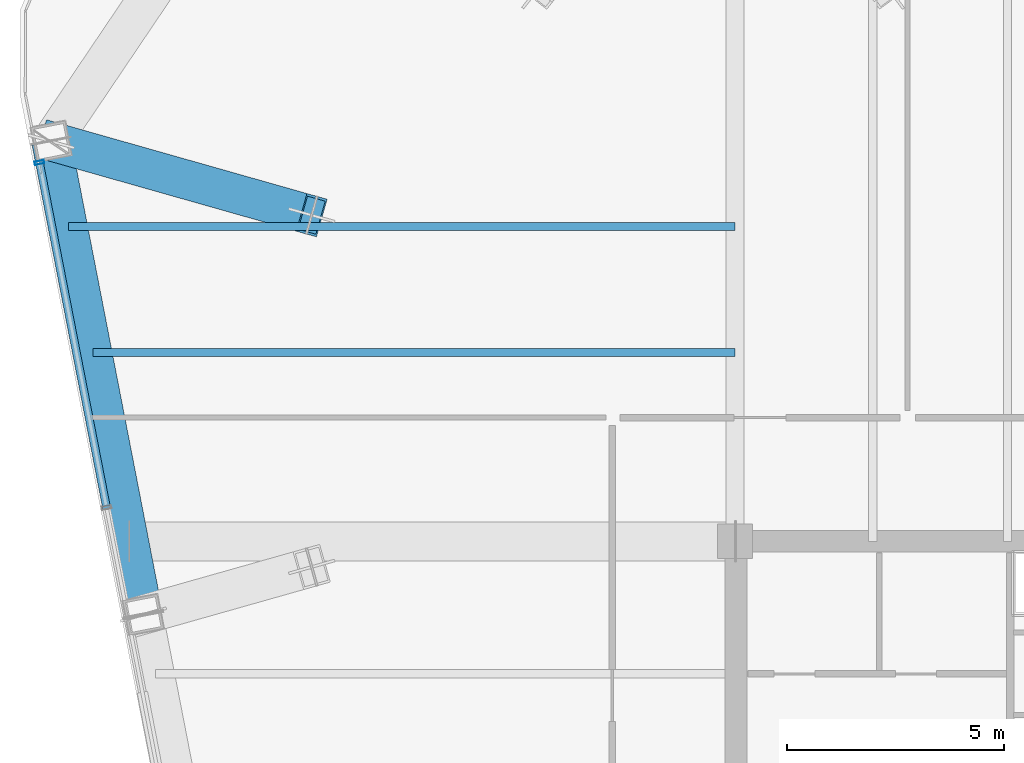
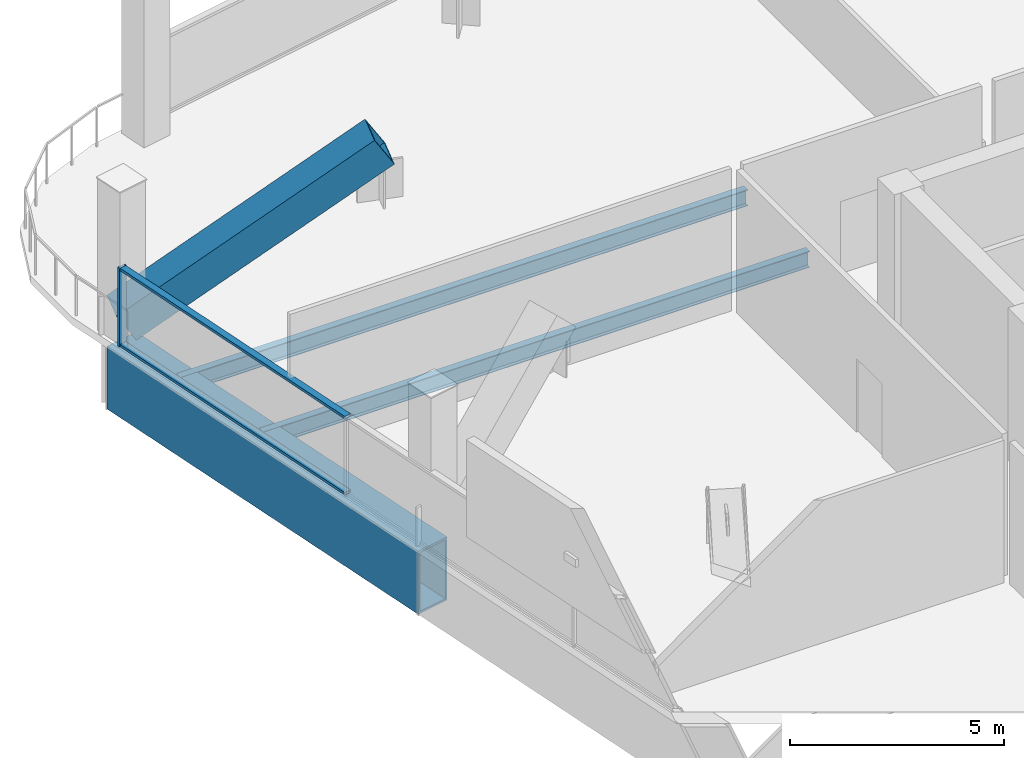
# One storey, part 11 of 26: 4 members, 3 beams, 1 element without a shape of its own.
"""IFC4 building model written with IfcOpenShell, lengths in metres."""

from ifc_helpers import new_model, si_unit, direction, frame, origin, origin_2d, place, context, subcontext, project, spatial, hollow_rectangle, i_section, extrude, material, layer, layer_set, material_profile, profile_set, type_object, element, aggregate, save


model = new_model("IFC4")

# Units and contexts
model_context = context("Model", 3, precision=1e-05, world=origin(), true_north=direction((0.0, 1.0)))
body_context = subcontext(model_context, "Body", "Model", "MODEL_VIEW")
ifc_project = project(units=[si_unit("LENGTHUNIT", "METRE"), si_unit("AREAUNIT", "SQUARE_METRE"), si_unit("VOLUMEUNIT", "CUBIC_METRE"), si_unit("PLANEANGLEUNIT", "RADIAN"), si_unit("MASSUNIT", "GRAM", prefix="KILO")], contexts=[model_context])

# Site, building, storey
site_placement = place(None, origin())
site = spatial("IfcSite", under=ifc_project, at=site_placement, CompositionType="ELEMENT")
building_placement = place(site_placement, origin())
building = spatial("IfcBuilding", under=site, at=building_placement, Name="Qhalaya Broadcast Tower", CompositionType="ELEMENT")
storey_placement = place(building_placement, frame((0.0, 0.0, 140.25)))
storey = spatial("IfcBuildingStorey", under=building, at=storey_placement, Name="L41", CompositionType="ELEMENT", Elevation=140.25)

# Beams
ifc_material_1 = material(Name="Structural Steel ASTM A572 Grade 50", Category="steel")
ifc_material_profile_1 = material_profile(ifc_material_1, hollow_rectangle(XDim=0.89990234375, YDim=1.800048828125, WallThickness=0.06005859375, at=origin_2d()), Name="BOX 900x1800x60")
ifc_profile_set_1 = profile_set([ifc_material_profile_1], Name="Structural Steel ASTM A572 Grade 50")
beam_type_1 = type_object("IfcBeamType", Name="Block Cantilever Transfer Box Girder TG1", PredefinedType="USERDEFINED", material=ifc_profile_set_1)
beam_1_placement = place(storey_placement, frame((-25.1162109375, 19.159423828125, -1.1201171875), z_axis=(0.190804900759, -0.981627979352, 0.0), x_axis=(0.981627979352, 0.190804900759, 0.0)))
element("IfcBeam", 1, at=beam_1_placement, inside=storey, type_object=beam_type_1, Name="L41 TG1 L41-SPR-13", ObjectType="GIRDER", PredefinedType="USERDEFINED", context=body_context, shape_type="SweptSolid", body=[
    extrude(hollow_rectangle(XDim=0.89990234375, YDim=1.800048828125, WallThickness=0.06005859375, at=origin_2d()), origin(), (0.0, 0.0, 1.0), 11.099853515625),
])
ifc_material_2 = material(Name="Structural Steel ASTM A992 Grade 50", Category="steel")
ifc_material_profile_2 = material_profile(ifc_material_2, i_section(OverallWidth=0.19189453125, OverallDepth=0.462890625, WebThickness=0.010498046875, FlangeThickness=0.017578125, at=origin_2d()), Name="W18X60")
ifc_profile_set_2 = profile_set([ifc_material_profile_2], Name="Structural Steel ASTM A992 Grade 50")
beam_type_2 = type_object("IfcBeamType", Name="Composite Floor Joist J03", PredefinedType="JOIST", material=ifc_profile_set_2)
beam_2_placement = place(storey_placement, frame((-24.1513671875, 14.300048828125, -0.451416015625), z_axis=(1.0, 0.0, 0.0), x_axis=(0.0, 1.0, 0.0)))
element("IfcBeam", 2, at=beam_2_placement, inside=storey, type_object=beam_type_2, Name="L41 J03 L41-JWE6W-1", PredefinedType="JOIST", context=body_context, shape_type="SweptSolid", body=[
    extrude(i_section(OverallWidth=0.19189453125, OverallDepth=0.462890625, WebThickness=0.010498046875, FlangeThickness=0.017578125, at=origin_2d()), origin(), (0.0, 0.0, 1.0), 14.7763671875),
])
beam_3_placement = place(storey_placement, frame((-24.715087890625, 17.199951171875, -0.451416015625), z_axis=(1.0, 0.0, 0.0), x_axis=(0.0, 1.0, 0.0)))
element("IfcBeam", 3, at=beam_3_placement, inside=storey, type_object=beam_type_2, Name="L41 J03 L41-JWE7W-1", PredefinedType="JOIST", context=body_context, shape_type="SweptSolid", body=[
    extrude(i_section(OverallWidth=0.19189453125, OverallDepth=0.462890625, WebThickness=0.010498046875, FlangeThickness=0.017578125, at=origin_2d()), origin(), (0.0, 0.0, 1.0), 15.340087890625),
])

# Member
ifc_material_profile_3 = material_profile(ifc_material_1, hollow_rectangle(XDim=0.89990234375, YDim=0.89990234375, WallThickness=0.054931640625, at=origin_2d()), Name="BOX 900x900x55")
ifc_profile_set_3 = profile_set([ifc_material_profile_3], Name="Structural Steel ASTM A572 Grade 50")
member_type_1 = type_object("IfcMemberType", Name="Heavy Exoskeleton Transfer Strut RK1", PredefinedType="BRACE", material=ifc_profile_set_3)
member_1_placement = place(storey_placement, frame((-25.1162109375, 19.159423828125, 0.389892578125), z_axis=(0.8120306366, -0.230152494355, 0.536317139914), x_axis=(0.272687183884, 0.962102749058, 0.0)))
element("IfcMember", 4, at=member_1_placement, inside=storey, type_object=member_type_1, Name="L41 Inclined Exoskeleton Transfer Strut 13", PredefinedType="BRACE", context=body_context, shape_type="SweptSolid", body=[
    extrude(hollow_rectangle(XDim=0.89990234375, YDim=0.89990234375, WallThickness=0.054931640625, at=origin_2d()), origin(), (0.0, 0.0, 1.0), 7.384033203125),
])

# Curtain wall, members
ifc_material_3 = material(Name="Fired Architectural Terracotta", Category="masonry")
ifc_layer = layer(ifc_material_3, 0.219970703125, Name="Fired Architectural Terracotta")
ifc_layer_set = layer_set([ifc_layer], Name="Fired Architectural Terracotta")
curtain_wall_type = type_object("IfcCurtainWallType", Name="Block-Cap Unitised Terracotta Spandrel Wall CW-07", PredefinedType="NOTDEFINED", material=ifc_layer_set)
curtain_wall_placement = place(storey_placement, origin())
curtain_wall = element("IfcCurtainWall", 5, at=curtain_wall_placement, inside=storey, type_object=curtain_wall_type, Name="L41 Unitised Curtain Wall L41-CW-W", PredefinedType="NOTDEFINED")
ifc_material_4 = material(Name="Anodised Aluminium 6063-T6", Category="aluminium")
ifc_material_profile_4 = material_profile(ifc_material_4, hollow_rectangle(XDim=0.074951171875, YDim=0.219970703125, WallThickness=0.00390625, at=origin_2d()), Name="ALU-MUL 75x220x4")
ifc_profile_set_4 = profile_set([ifc_material_profile_4], Name="Anodised Aluminium 6063-T6")
member_type_2 = type_object("IfcMemberType", Name="Unitised Curtain-Wall Mullion M01", PredefinedType="MULLION", material=ifc_profile_set_4)
member_2_placement = place(storey_placement, frame((-25.388427734375, 18.673095703125, 0.0), z_axis=(0.0, 0.0, 1.0), x_axis=(-0.190810076719, 0.981626973255, 0.0)))
member_2 = element("IfcMember", 6, at=member_2_placement, type_object=member_type_2, Name="CW-07 mullion 5", PredefinedType="MULLION", context=body_context, shape_type="SweptSolid", body=[
    extrude(hollow_rectangle(XDim=0.074951171875, YDim=0.219970703125, WallThickness=0.00390625, at=origin_2d()), origin(), (0.0, 0.0, 1.0), 2.25),
])
ifc_material_profile_5 = material_profile(ifc_material_4, hollow_rectangle(XDim=0.074951171875, YDim=0.179931640625, WallThickness=0.00390625, at=origin_2d()), Name="ALU-TRN 75x180x4")
ifc_profile_set_5 = profile_set([ifc_material_profile_5], Name="Anodised Aluminium 6063-T6")
member_type_3 = type_object("IfcMemberType", Name="Unitised Curtain-Wall Transom T01", PredefinedType="USERDEFINED", material=ifc_profile_set_5)
member_3_placement = place(storey_placement, frame((-23.851318359375, 10.76513671875, 0.03759765625), z_axis=(-0.190814242154, 0.981626163563, 0.0), x_axis=(0.0, 0.0, 1.0)))
member_3 = element("IfcMember", 7, at=member_3_placement, type_object=member_type_3, Name="CW-07 transom 4.1", ObjectType="TRANSOM", PredefinedType="USERDEFINED", context=body_context, shape_type="SweptSolid", body=[
    extrude(hollow_rectangle(XDim=0.074951171875, YDim=0.179931640625, WallThickness=0.00390625, at=origin_2d()), origin(), (0.0, 0.0, 1.0), 8.018310546875),
])
member_4_placement = place(storey_placement, frame((-23.851318359375, 10.76513671875, 2.21240234375), z_axis=(-0.190814242154, 0.981626163563, 0.0), x_axis=(0.0, 0.0, 1.0)))
member_4 = element("IfcMember", 8, at=member_4_placement, type_object=member_type_3, Name="CW-07 transom 4.2", ObjectType="TRANSOM", PredefinedType="USERDEFINED", context=body_context, shape_type="SweptSolid", body=[
    extrude(hollow_rectangle(XDim=0.074951171875, YDim=0.179931640625, WallThickness=0.00390625, at=origin_2d()), origin(), (0.0, 0.0, 1.0), 8.018310546875),
])
aggregate(curtain_wall, [member_2, member_3, member_4])

save(model, "model.ifc")
